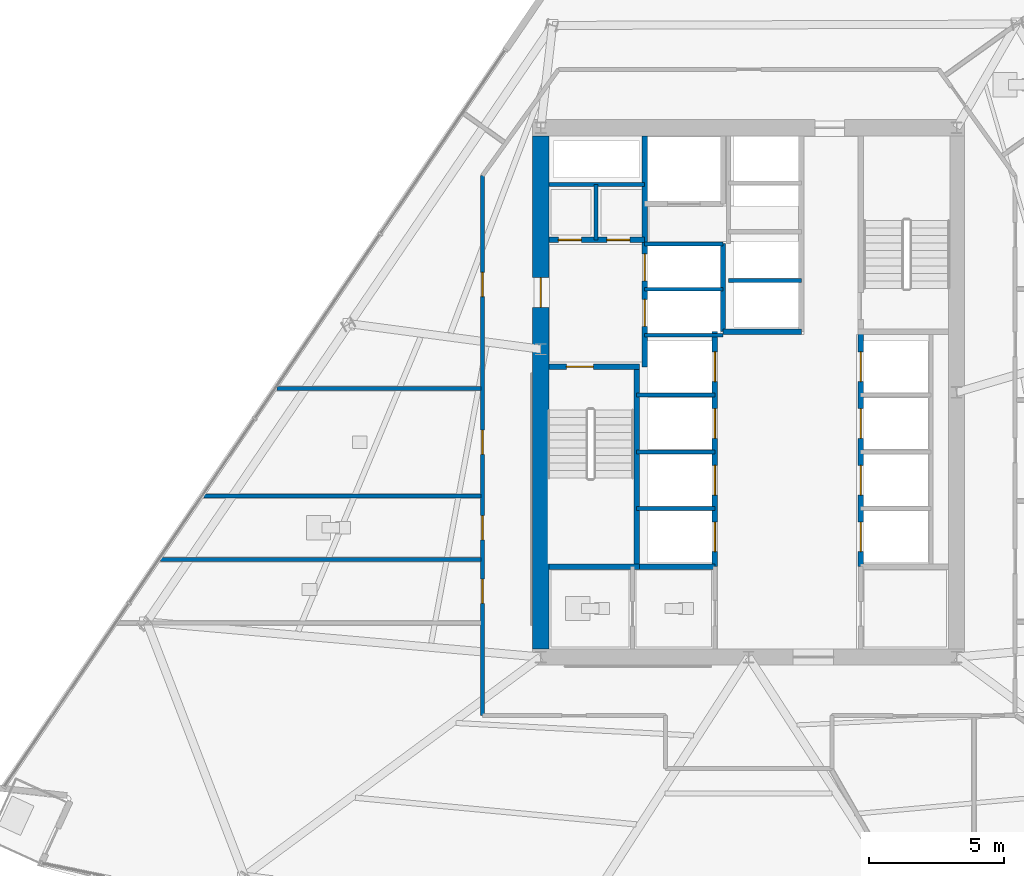
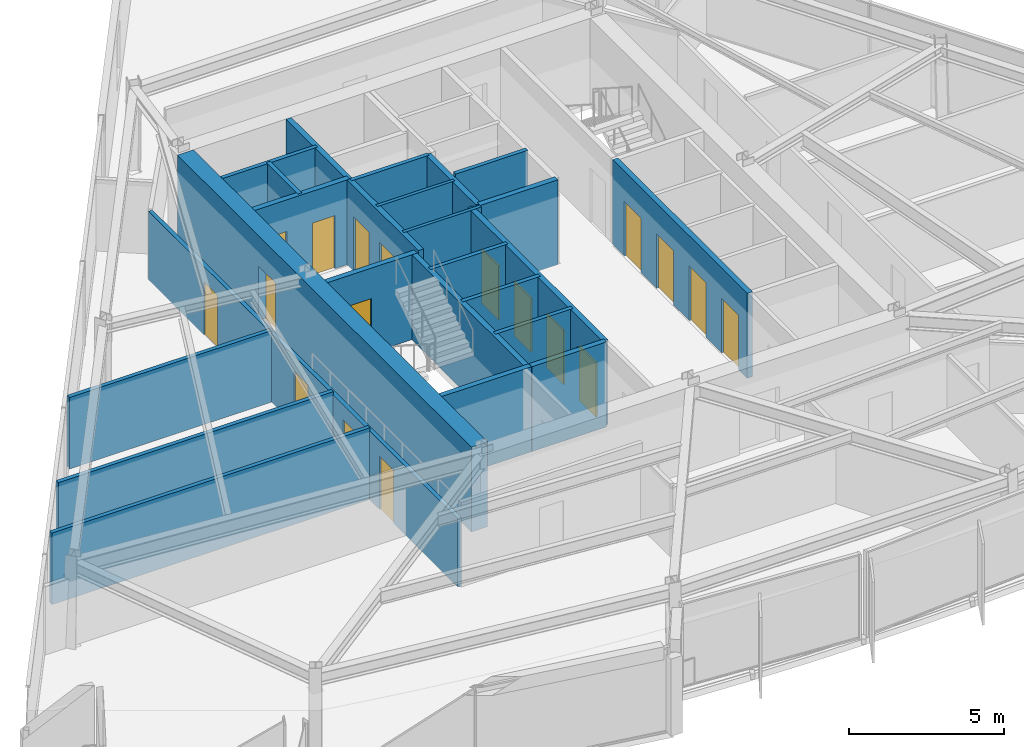
# One storey, part 8 of 15: 24 walls, 18 doors, 18 openings.
"""IFC4 building model written with IfcOpenShell, lengths in metres."""

from ifc_helpers import new_model, si_unit, direction, frame, frame_2d, origin, place, context, subcontext, project, spatial, rectangle, extrude, material, layer, layer_set, type_object, element, fill, save


model = new_model("IFC4")

# Units and contexts
model_context = context("Model", 3, precision=1e-05, world=origin(), true_north=direction((0.0, 1.0)))
body_context = subcontext(model_context, "Body", "Model", "MODEL_VIEW")
ifc_project = project(units=[si_unit("LENGTHUNIT", "METRE"), si_unit("AREAUNIT", "SQUARE_METRE"), si_unit("VOLUMEUNIT", "CUBIC_METRE"), si_unit("PLANEANGLEUNIT", "RADIAN"), si_unit("MASSUNIT", "GRAM", prefix="KILO")], contexts=[model_context])

# Site, building, storey
site_placement = place(None, origin())
site = spatial("IfcSite", under=ifc_project, at=site_placement, CompositionType="ELEMENT")
building_placement = place(site_placement, origin())
building = spatial("IfcBuilding", under=site, at=building_placement, Name="Savorim Split Tower", CompositionType="ELEMENT")
storey_placement = place(building_placement, frame((0.0, 0.0, 107.699951171875)))
storey = spatial("IfcBuildingStorey", under=building, at=storey_placement, Name="L28", CompositionType="ELEMENT", Elevation=107.699951171875)

# Wall, opening, door
ifc_material_1 = material(Name="Concrete C60/75", Category="concrete")
ifc_layer_1 = layer(ifc_material_1, 0.60009765625)
ifc_layer_set_1 = layer_set([ifc_layer_1], Name="WAL-COR-SH600")
wall_type_1 = type_object("IfcWallType", Name="WAL-COR-SH600", PredefinedType="SHEAR", material=ifc_layer_set_1)
wall_1_placement = place(storey_placement, frame((-7.699951171875, -9.10009765625, 0.0), z_axis=(0.0, 0.0, 1.0), x_axis=(0.0, 1.0, 0.0)))
wall_1 = element("IfcWall", 1, at=wall_1_placement, inside=storey, type_object=wall_type_1, Name="L28 Offset Core West Shear Wall", PredefinedType="SHEAR", context=body_context, shape_type="SweptSolid", body=[
    extrude(rectangle(XDim=19.0, YDim=0.60009765625, at=frame_2d((9.5, 0.0))), origin(), (0.0, 0.0, 1.0), 3.35009765625),
])
opening_1_placement = place(wall_1_placement, frame((12.64990234375, 0.0, 0.0)))
opening_1 = element("IfcOpeningElement", 2, at=opening_1_placement, cuts=wall_1, Name="Opening DI-03", PredefinedType="OPENING", context=body_context, shape_type="SweptSolid", body=[
    extrude(rectangle(XDim=1.10009765625, YDim=2.14990234375, at=frame_2d((0.550048828125, 1.074951171875))), frame((0.0, 0.31005859375, 0.0), z_axis=(0.0, -1.0, 0.0), x_axis=(1.0, 0.0, 0.0)), (0.0, 0.0, 1.0), 0.6201171875),
])
ifc_material_2 = material(Name="Timber Fire Door Leaf", Category="wood")
door_type_1 = type_object("IfcDoorType", Name="DOR-FIR-1100", OperationType="NOTDEFINED", PredefinedType="DOOR", material=ifc_material_2)
door_1_placement = place(opening_1_placement, origin())
door_1 = element("IfcDoor", 3, at=door_1_placement, inside=storey, type_object=door_type_1, Name="DOR-L28-COR-FFLOB - L28 Firefighting Lobby Corridor Door", OperationType="SINGLE_SWING_RIGHT", OverallHeight=2.14990234375, OverallWidth=1.10009765625, PredefinedType="DOOR", context=body_context, shape_type="SweptSolid", body=[
    extrude(rectangle(XDim=1.10009765625, YDim=2.14990234375, at=frame_2d((0.550048828125, 1.074951171875))), frame((0.0, 0.02490234375, 0.0), z_axis=(0.0, -1.0, 0.0), x_axis=(1.0, 0.0, 0.0)), (0.0, 0.0, 1.0), 0.050048828125),
])
fill(opening_1, door_1)

ifc_material_3 = material(Name="Concrete C50/60", Category="concrete")
ifc_layer_2 = layer(ifc_material_3, 0.199951171875)
ifc_layer_set_2 = layer_set([ifc_layer_2], Name="WAL-INT-RC200")
wall_type_2 = type_object("IfcWallType", Name="WAL-INT-RC200", PredefinedType="SOLIDWALL", material=ifc_layer_set_2)
wall_2_placement = place(storey_placement, frame((-7.39990234375, 1.35009765625, 0.0), z_axis=(0.0, 0.0, 1.0), x_axis=(1.0, 0.0, 0.0)))
wall_2 = element("IfcWall", 4, at=wall_2_placement, inside=storey, type_object=wall_type_2, Name="L28 Structural Shaft Wall W-L28-CR01", PredefinedType="SOLIDWALL", context=body_context, shape_type="SweptSolid", body=[
    extrude(rectangle(XDim=3.349853515625, YDim=0.199951171875, at=frame_2d((1.6748046875, 0.0))), origin(), (0.0, 0.0, 1.0), 3.35009765625),
])
opening_2_placement = place(wall_2_placement, frame((0.64990234375, 0.0, 0.0)))
opening_2 = element("IfcOpeningElement", 5, at=opening_2_placement, cuts=wall_2, Name="Opening DI-04", PredefinedType="OPENING", context=body_context, shape_type="SweptSolid", body=[
    extrude(rectangle(XDim=1.0, YDim=2.14990234375, at=frame_2d((0.5, 1.074951171875))), frame((0.0, 0.10986328125, 0.0), z_axis=(0.0, -1.0, 0.0), x_axis=(1.0, 0.0, 0.0)), (0.0, 0.0, 1.0), 0.219970703125),
])
door_type_2 = type_object("IfcDoorType", Name="DOR-FIR-1000", OperationType="NOTDEFINED", PredefinedType="DOOR", material=ifc_material_2)
door_2_placement = place(opening_2_placement, origin())
door_2 = element("IfcDoor", 6, at=door_2_placement, inside=storey, type_object=door_type_2, Name="DR-L28-ST1 - L28 Stair ST-1 Enclosure Door", OperationType="SINGLE_SWING_LEFT", OverallHeight=2.14990234375, OverallWidth=1.0, PredefinedType="DOOR", context=body_context, shape_type="SweptSolid", body=[
    extrude(rectangle(XDim=1.0, YDim=2.14990234375, at=frame_2d((0.5, 1.074951171875))), frame((0.0, 0.02490234375, 0.0), z_axis=(0.0, -1.0, 0.0), x_axis=(1.0, 0.0, 0.0)), (0.0, 0.0, 1.0), 0.050048828125),
])
fill(opening_2, door_2)

# Wall
wall_3_placement = place(storey_placement, frame((-4.14990234375, -5.949951171875, 0.0), z_axis=(0.0, 0.0, 1.0), x_axis=(0.0, 1.0, 0.0)))
element("IfcWall", 7, at=wall_3_placement, inside=storey, type_object=wall_type_2, Name="L28 Structural Shaft Wall W-L28-CR02", PredefinedType="SOLIDWALL", context=body_context, shape_type="SweptSolid", body=[
    extrude(rectangle(XDim=7.199951171875, YDim=0.199951171875, at=frame_2d((3.60009765625, 0.0))), origin(), (0.0, 0.0, 1.0), 3.35009765625),
])

# Wall, openings, doors
wall_4_placement = place(storey_placement, frame((-3.85009765625, 1.35009765625, 0.0), z_axis=(0.0, 0.0, 1.0), x_axis=(0.0, 1.0, 0.0)))
wall_4 = element("IfcWall", 8, at=wall_4_placement, inside=storey, type_object=wall_type_2, Name="L28 Partition W-L28-CR03", PredefinedType="SOLIDWALL", context=body_context, shape_type="SweptSolid", body=[
    extrude(rectangle(XDim=8.544921875, YDim=0.199951171875, at=frame_2d((4.2724609375, 0.0))), origin(), (0.0, 0.0, 1.0), 3.35009765625),
])
opening_3_placement = place(wall_4_placement, frame((1.5, 0.0, 0.0)))
opening_3 = element("IfcOpeningElement", 9, at=opening_3_placement, cuts=wall_4, Name="Opening LD-FFL", PredefinedType="OPENING", context=body_context, shape_type="SweptSolid", body=[
    extrude(rectangle(XDim=1.0, YDim=2.14990234375, at=frame_2d((0.5, 1.074951171875))), frame((0.0, 0.10986328125, 0.0), z_axis=(0.0, -1.0, 0.0), x_axis=(1.0, 0.0, 0.0)), (0.0, 0.0, 1.0), 0.219970703125),
])
opening_4_placement = place(wall_4_placement, frame((3.179931640625, 0.0, 0.0)))
opening_4 = element("IfcOpeningElement", 10, at=opening_4_placement, cuts=wall_4, Name="Opening LD-FFL", PredefinedType="OPENING", context=body_context, shape_type="SweptSolid", body=[
    extrude(rectangle(XDim=1.0, YDim=2.14990234375, at=frame_2d((0.5, 1.074951171875))), frame((0.0, 0.10986328125, 0.0), z_axis=(0.0, -1.0, 0.0), x_axis=(1.0, 0.0, 0.0)), (0.0, 0.0, 1.0), 0.219970703125),
])
ifc_material_4 = material(Name="Charcoal Anodised Aluminium", Category="aluminium")
door_type_3 = type_object("IfcDoorType", Name="DOR-SLD-LD1000", OperationType="NOTDEFINED", PredefinedType="DOOR", material=ifc_material_4)
door_3_placement = place(opening_3_placement, origin())
door_3 = element("IfcDoor", 11, at=door_3_placement, inside=storey, type_object=door_type_3, Name="DR-L28-LD-FFL1 - L28 Firefighting Lift FFL-1 Sliding Landing Door", OperationType="DOUBLE_DOOR_SLIDING", OverallHeight=2.14990234375, OverallWidth=1.0, PredefinedType="DOOR", context=body_context, shape_type="SweptSolid", body=[
    extrude(rectangle(XDim=1.0, YDim=2.14990234375, at=frame_2d((0.5, 1.074951171875))), frame((0.0, 0.02490234375, 0.0), z_axis=(0.0, -1.0, 0.0), x_axis=(1.0, 0.0, 0.0)), (0.0, 0.0, 1.0), 0.050048828125),
])
fill(opening_3, door_3)
door_4_placement = place(opening_4_placement, origin())
door_4 = element("IfcDoor", 12, at=door_4_placement, inside=storey, type_object=door_type_3, Name="DR-L28-LD-FFL2 - L28 Firefighting Lift FFL-2 Sliding Landing Door", OperationType="DOUBLE_DOOR_SLIDING", OverallHeight=2.14990234375, OverallWidth=1.0, PredefinedType="DOOR", context=body_context, shape_type="SweptSolid", body=[
    extrude(rectangle(XDim=1.0, YDim=2.14990234375, at=frame_2d((0.5, 1.074951171875))), frame((0.0, 0.02490234375, 0.0), z_axis=(0.0, -1.0, 0.0), x_axis=(1.0, 0.0, 0.0)), (0.0, 0.0, 1.0), 0.050048828125),
])
fill(opening_4, door_4)

wall_5_placement = place(storey_placement, frame((-7.39501953125, 6.050048828125, 0.0), z_axis=(0.0, 0.0, 1.0), x_axis=(1.0, 0.0, 0.0)))
wall_5 = element("IfcWall", 13, at=wall_5_placement, inside=storey, type_object=wall_type_2, Name="L28 Partition W-L28-CR04", PredefinedType="SOLIDWALL", context=body_context, shape_type="SweptSolid", body=[
    extrude(rectangle(XDim=3.544921875, YDim=0.199951171875, at=frame_2d((1.7724609375, 0.0))), origin(), (0.0, 0.0, 1.0), 3.35009765625),
])
opening_5_placement = place(wall_5_placement, frame((0.344970703125, 0.0, 0.0)))
opening_5 = element("IfcOpeningElement", 14, at=opening_5_placement, cuts=wall_5, Name="Opening DI-12", PredefinedType="OPENING", context=body_context, shape_type="SweptSolid", body=[
    extrude(rectangle(XDim=0.85009765625, YDim=2.10009765625, at=frame_2d((0.425048828125, 1.050048828125))), frame((0.0, 0.10986328125, 0.0), z_axis=(0.0, -1.0, 0.0), x_axis=(1.0, 0.0, 0.0)), (0.0, 0.0, 1.0), 0.219970703125),
])
opening_6_placement = place(wall_5_placement, frame((2.14501953125, 0.0, 0.0)))
opening_6 = element("IfcOpeningElement", 15, at=opening_6_placement, cuts=wall_5, Name="Opening DI-12", PredefinedType="OPENING", context=body_context, shape_type="SweptSolid", body=[
    extrude(rectangle(XDim=0.85009765625, YDim=2.10009765625, at=frame_2d((0.425048828125, 1.050048828125))), frame((0.0, 0.10986328125, 0.0), z_axis=(0.0, -1.0, 0.0), x_axis=(1.0, 0.0, 0.0)), (0.0, 0.0, 1.0), 0.219970703125),
])
ifc_material_5 = material(Name="Galvanised Painted Steel Balustrade", Category="steel")
door_type_4 = type_object("IfcDoorType", Name="DOR-RIS-850", OperationType="NOTDEFINED", PredefinedType="DOOR", material=ifc_material_5)
door_5_placement = place(opening_5_placement, origin())
door_5 = element("IfcDoor", 16, at=door_5_placement, inside=storey, type_object=door_type_4, Name="DR-L28-ELR - L28 Electrical Riser Access Door", OperationType="SINGLE_SWING_RIGHT", OverallHeight=2.10009765625, OverallWidth=0.85009765625, PredefinedType="DOOR", context=body_context, shape_type="SweptSolid", body=[
    extrude(rectangle(XDim=0.85009765625, YDim=2.10009765625, at=frame_2d((0.425048828125, 1.050048828125))), frame((0.0, 0.02490234375, 0.0), z_axis=(0.0, -1.0, 0.0), x_axis=(1.0, 0.0, 0.0)), (0.0, 0.0, 1.0), 0.050048828125),
])
fill(opening_5, door_5)
door_6_placement = place(opening_6_placement, origin())
door_6 = element("IfcDoor", 17, at=door_6_placement, inside=storey, type_object=door_type_4, Name="DR-L28-TLR - L28 Telecom Riser Access Door", OperationType="SINGLE_SWING_LEFT", OverallHeight=2.10009765625, OverallWidth=0.85009765625, PredefinedType="DOOR", context=body_context, shape_type="SweptSolid", body=[
    extrude(rectangle(XDim=0.85009765625, YDim=2.10009765625, at=frame_2d((0.425048828125, 1.050048828125))), frame((0.0, 0.02490234375, 0.0), z_axis=(0.0, -1.0, 0.0), x_axis=(1.0, 0.0, 0.0)), (0.0, 0.0, 1.0), 0.050048828125),
])
fill(opening_6, door_6)

# Wall
wall_6_placement = place(storey_placement, frame((-0.949951171875, 2.64990234375, 0.0), z_axis=(0.0, 0.0, 1.0), x_axis=(0.0, 1.0, 0.0)))
element("IfcWall", 18, at=wall_6_placement, inside=storey, type_object=wall_type_2, Name="L28 Partition W-L28-FFLW", PredefinedType="SOLIDWALL", context=body_context, shape_type="SweptSolid", body=[
    extrude(rectangle(XDim=3.27001953125, YDim=0.199951171875, at=frame_2d((1.635009765625, 0.0))), origin(), (0.0, 0.0, 1.0), 3.35009765625),
])

# Wall, openings, doors
wall_7_placement = place(storey_placement, frame((4.14990234375, -6.050048828125, 0.0), z_axis=(0.0, 0.0, 1.0), x_axis=(0.0, 1.0, 0.0)))
wall_7 = element("IfcWall", 19, at=wall_7_placement, inside=storey, type_object=wall_type_2, Name="L28 Partition W-L28-B1FRONT", PredefinedType="SOLIDWALL", context=body_context, shape_type="SweptSolid", body=[
    extrude(rectangle(XDim=8.699951171875, YDim=0.199951171875, at=frame_2d((4.35009765625, 0.0))), origin(), (0.0, 0.0, 1.0), 3.35009765625),
])
opening_7_placement = place(wall_7_placement, frame((0.550048828125, 0.0, 0.0)))
opening_7 = element("IfcOpeningElement", 20, at=opening_7_placement, cuts=wall_7, Name="Opening LD-01", PredefinedType="OPENING", context=body_context, shape_type="SweptSolid", body=[
    extrude(rectangle(XDim=1.10009765625, YDim=2.14990234375, at=frame_2d((0.550048828125, 1.074951171875))), frame((0.0, 0.10986328125, 0.0), z_axis=(0.0, -1.0, 0.0), x_axis=(1.0, 0.0, 0.0)), (0.0, 0.0, 1.0), 0.219970703125),
])
opening_8_placement = place(wall_7_placement, frame((2.64990234375, 0.0, 0.0)))
opening_8 = element("IfcOpeningElement", 21, at=opening_8_placement, cuts=wall_7, Name="Opening LD-01", PredefinedType="OPENING", context=body_context, shape_type="SweptSolid", body=[
    extrude(rectangle(XDim=1.10009765625, YDim=2.14990234375, at=frame_2d((0.550048828125, 1.074951171875))), frame((0.0, 0.10986328125, 0.0), z_axis=(0.0, -1.0, 0.0), x_axis=(1.0, 0.0, 0.0)), (0.0, 0.0, 1.0), 0.219970703125),
])
opening_9_placement = place(wall_7_placement, frame((4.75, 0.0, 0.0)))
opening_9 = element("IfcOpeningElement", 22, at=opening_9_placement, cuts=wall_7, Name="Opening LD-01", PredefinedType="OPENING", context=body_context, shape_type="SweptSolid", body=[
    extrude(rectangle(XDim=1.10009765625, YDim=2.14990234375, at=frame_2d((0.550048828125, 1.074951171875))), frame((0.0, 0.10986328125, 0.0), z_axis=(0.0, -1.0, 0.0), x_axis=(1.0, 0.0, 0.0)), (0.0, 0.0, 1.0), 0.219970703125),
])
opening_10_placement = place(wall_7_placement, frame((6.85009765625, 0.0, 0.0)))
opening_10 = element("IfcOpeningElement", 23, at=opening_10_placement, cuts=wall_7, Name="Opening LD-01", PredefinedType="OPENING", context=body_context, shape_type="SweptSolid", body=[
    extrude(rectangle(XDim=1.10009765625, YDim=2.14990234375, at=frame_2d((0.550048828125, 1.074951171875))), frame((0.0, 0.10986328125, 0.0), z_axis=(0.0, -1.0, 0.0), x_axis=(1.0, 0.0, 0.0)), (0.0, 0.0, 1.0), 0.219970703125),
])
door_type_5 = type_object("IfcDoorType", Name="DOR-SLD-LD1100", OperationType="NOTDEFINED", PredefinedType="DOOR", material=ifc_material_4)
door_7_placement = place(opening_7_placement, origin())
door_7 = element("IfcDoor", 24, at=door_7_placement, inside=storey, type_object=door_type_5, Name="DR-L28-LD-PLL1 - L28 Lift PL-L1 Sliding Landing Door", OperationType="DOUBLE_DOOR_SLIDING", OverallHeight=2.14990234375, OverallWidth=1.10009765625, PredefinedType="DOOR", context=body_context, shape_type="SweptSolid", body=[
    extrude(rectangle(XDim=1.10009765625, YDim=2.14990234375, at=frame_2d((0.550048828125, 1.074951171875))), frame((0.0, 0.02490234375, 0.0), z_axis=(0.0, -1.0, 0.0), x_axis=(1.0, 0.0, 0.0)), (0.0, 0.0, 1.0), 0.050048828125),
])
fill(opening_7, door_7)
door_8_placement = place(opening_8_placement, origin())
door_8 = element("IfcDoor", 25, at=door_8_placement, inside=storey, type_object=door_type_5, Name="DR-L28-LD-PLL2 - L28 Lift PL-L2 Sliding Landing Door", OperationType="DOUBLE_DOOR_SLIDING", OverallHeight=2.14990234375, OverallWidth=1.10009765625, PredefinedType="DOOR", context=body_context, shape_type="SweptSolid", body=[
    extrude(rectangle(XDim=1.10009765625, YDim=2.14990234375, at=frame_2d((0.550048828125, 1.074951171875))), frame((0.0, 0.02490234375, 0.0), z_axis=(0.0, -1.0, 0.0), x_axis=(1.0, 0.0, 0.0)), (0.0, 0.0, 1.0), 0.050048828125),
])
fill(opening_8, door_8)
door_9_placement = place(opening_9_placement, origin())
door_9 = element("IfcDoor", 26, at=door_9_placement, inside=storey, type_object=door_type_5, Name="DR-L28-LD-PLL3 - L28 Lift PL-L3 Sliding Landing Door", OperationType="DOUBLE_DOOR_SLIDING", OverallHeight=2.14990234375, OverallWidth=1.10009765625, PredefinedType="DOOR", context=body_context, shape_type="SweptSolid", body=[
    extrude(rectangle(XDim=1.10009765625, YDim=2.14990234375, at=frame_2d((0.550048828125, 1.074951171875))), frame((0.0, 0.02490234375, 0.0), z_axis=(0.0, -1.0, 0.0), x_axis=(1.0, 0.0, 0.0)), (0.0, 0.0, 1.0), 0.050048828125),
])
fill(opening_9, door_9)
door_10_placement = place(opening_10_placement, origin())
door_10 = element("IfcDoor", 27, at=door_10_placement, inside=storey, type_object=door_type_5, Name="DR-L28-LD-PLL4 - L28 Lift PL-L4 Sliding Landing Door", OperationType="DOUBLE_DOOR_SLIDING", OverallHeight=2.14990234375, OverallWidth=1.10009765625, PredefinedType="DOOR", context=body_context, shape_type="SweptSolid", body=[
    extrude(rectangle(XDim=1.10009765625, YDim=2.14990234375, at=frame_2d((0.550048828125, 1.074951171875))), frame((0.0, 0.02490234375, 0.0), z_axis=(0.0, -1.0, 0.0), x_axis=(1.0, 0.0, 0.0)), (0.0, 0.0, 1.0), 0.050048828125),
])
fill(opening_10, door_10)

wall_8_placement = place(storey_placement, frame((-1.25, -6.050048828125, 0.0), z_axis=(0.0, 0.0, 1.0), x_axis=(0.0, 1.0, 0.0)))
wall_8 = element("IfcWall", 28, at=wall_8_placement, inside=storey, type_object=wall_type_2, Name="L28 Partition W-L28-B2FRONT", PredefinedType="SOLIDWALL", context=body_context, shape_type="SweptSolid", body=[
    extrude(rectangle(XDim=8.699951171875, YDim=0.199951171875, at=frame_2d((4.35009765625, 0.0))), origin(), (0.0, 0.0, 1.0), 3.35009765625),
])
opening_11_placement = place(wall_8_placement, frame((0.550048828125, 0.0, 0.0)))
opening_11 = element("IfcOpeningElement", 29, at=opening_11_placement, cuts=wall_8, Name="Opening LD-02", PredefinedType="OPENING", context=body_context, shape_type="SweptSolid", body=[
    extrude(rectangle(XDim=1.10009765625, YDim=2.14990234375, at=frame_2d((0.550048828125, 1.074951171875))), frame((0.0, 0.10986328125, 0.0), z_axis=(0.0, -1.0, 0.0), x_axis=(1.0, 0.0, 0.0)), (0.0, 0.0, 1.0), 0.219970703125),
])
opening_12_placement = place(wall_8_placement, frame((2.64990234375, 0.0, 0.0)))
opening_12 = element("IfcOpeningElement", 30, at=opening_12_placement, cuts=wall_8, Name="Opening LD-02", PredefinedType="OPENING", context=body_context, shape_type="SweptSolid", body=[
    extrude(rectangle(XDim=1.10009765625, YDim=2.14990234375, at=frame_2d((0.550048828125, 1.074951171875))), frame((0.0, 0.10986328125, 0.0), z_axis=(0.0, -1.0, 0.0), x_axis=(1.0, 0.0, 0.0)), (0.0, 0.0, 1.0), 0.219970703125),
])
opening_13_placement = place(wall_8_placement, frame((4.75, 0.0, 0.0)))
opening_13 = element("IfcOpeningElement", 31, at=opening_13_placement, cuts=wall_8, Name="Opening LD-02", PredefinedType="OPENING", context=body_context, shape_type="SweptSolid", body=[
    extrude(rectangle(XDim=1.10009765625, YDim=2.14990234375, at=frame_2d((0.550048828125, 1.074951171875))), frame((0.0, 0.10986328125, 0.0), z_axis=(0.0, -1.0, 0.0), x_axis=(1.0, 0.0, 0.0)), (0.0, 0.0, 1.0), 0.219970703125),
])
opening_14_placement = place(wall_8_placement, frame((6.85009765625, 0.0, 0.0)))
opening_14 = element("IfcOpeningElement", 32, at=opening_14_placement, cuts=wall_8, Name="Opening LD-02", PredefinedType="OPENING", context=body_context, shape_type="SweptSolid", body=[
    extrude(rectangle(XDim=1.10009765625, YDim=2.14990234375, at=frame_2d((0.550048828125, 1.074951171875))), frame((0.0, 0.10986328125, 0.0), z_axis=(0.0, -1.0, 0.0), x_axis=(1.0, 0.0, 0.0)), (0.0, 0.0, 1.0), 0.219970703125),
])
door_type_6 = type_object("IfcDoorType", Name="DOR-SLD-LDM1100", OperationType="NOTDEFINED", PredefinedType="DOOR", material=ifc_material_4)
door_11_placement = place(opening_11_placement, origin())
door_11 = element("IfcDoor", 33, at=door_11_placement, inside=storey, type_object=door_type_6, Name="DR-L28-LD-PLM1 - L28 Lift PL-M1 Sliding Landing Door", OperationType="DOUBLE_DOOR_SLIDING", OverallHeight=2.14990234375, OverallWidth=1.10009765625, PredefinedType="DOOR", context=body_context, shape_type="SweptSolid", body=[
    extrude(rectangle(XDim=1.10009765625, YDim=2.14990234375, at=frame_2d((0.550048828125, 1.074951171875))), frame((0.0, 0.02490234375, 0.0), z_axis=(0.0, -1.0, 0.0), x_axis=(1.0, 0.0, 0.0)), (0.0, 0.0, 1.0), 0.050048828125),
])
fill(opening_11, door_11)
door_12_placement = place(opening_12_placement, origin())
door_12 = element("IfcDoor", 34, at=door_12_placement, inside=storey, type_object=door_type_6, Name="DR-L28-LD-PLM2 - L28 Lift PL-M2 Sliding Landing Door", OperationType="DOUBLE_DOOR_SLIDING", OverallHeight=2.14990234375, OverallWidth=1.10009765625, PredefinedType="DOOR", context=body_context, shape_type="SweptSolid", body=[
    extrude(rectangle(XDim=1.10009765625, YDim=2.14990234375, at=frame_2d((0.550048828125, 1.074951171875))), frame((0.0, 0.02490234375, 0.0), z_axis=(0.0, -1.0, 0.0), x_axis=(1.0, 0.0, 0.0)), (0.0, 0.0, 1.0), 0.050048828125),
])
fill(opening_12, door_12)
door_13_placement = place(opening_13_placement, origin())
door_13 = element("IfcDoor", 35, at=door_13_placement, inside=storey, type_object=door_type_6, Name="DR-L28-LD-PLM3 - L28 Lift PL-M3 Sliding Landing Door", OperationType="DOUBLE_DOOR_SLIDING", OverallHeight=2.14990234375, OverallWidth=1.10009765625, PredefinedType="DOOR", context=body_context, shape_type="SweptSolid", body=[
    extrude(rectangle(XDim=1.10009765625, YDim=2.14990234375, at=frame_2d((0.550048828125, 1.074951171875))), frame((0.0, 0.02490234375, 0.0), z_axis=(0.0, -1.0, 0.0), x_axis=(1.0, 0.0, 0.0)), (0.0, 0.0, 1.0), 0.050048828125),
])
fill(opening_13, door_13)
door_14_placement = place(opening_14_placement, origin())
door_14 = element("IfcDoor", 36, at=door_14_placement, inside=storey, type_object=door_type_6, Name="DR-L28-LD-PLM4 - L28 Lift PL-M4 Sliding Landing Door", OperationType="DOUBLE_DOOR_SLIDING", OverallHeight=2.14990234375, OverallWidth=1.10009765625, PredefinedType="DOOR", context=body_context, shape_type="SweptSolid", body=[
    extrude(rectangle(XDim=1.10009765625, YDim=2.14990234375, at=frame_2d((0.550048828125, 1.074951171875))), frame((0.0, 0.02490234375, 0.0), z_axis=(0.0, -1.0, 0.0), x_axis=(1.0, 0.0, 0.0)), (0.0, 0.0, 1.0), 0.050048828125),
])
fill(opening_14, door_14)

# Walls
wall_9_placement = place(storey_placement, frame((-0.949951171875, 2.64990234375, 0.0), z_axis=(0.0, 0.0, 1.0), x_axis=(1.0, 0.0, 0.0)))
element("IfcWall", 37, at=wall_9_placement, inside=storey, type_object=wall_type_2, Name="L28 Partition W-L28-B3SOUTH", PredefinedType="SOLIDWALL", context=body_context, shape_type="SweptSolid", body=[
    extrude(rectangle(XDim=2.89990234375, YDim=0.199951171875, at=frame_2d((1.449951171875, 0.0))), origin(), (0.0, 0.0, 1.0), 3.35009765625),
])
wall_10_placement = place(storey_placement, frame((-7.39990234375, -6.050048828125, 0.0), z_axis=(0.0, 0.0, 1.0), x_axis=(1.0, 0.0, 0.0)))
element("IfcWall", 38, at=wall_10_placement, inside=storey, type_object=wall_type_2, Name="L28 Structural Shaft Wall W-L28-KSEP-W", PredefinedType="SOLIDWALL", context=body_context, shape_type="SweptSolid", body=[
    extrude(rectangle(XDim=3.349853515625, YDim=0.199951171875, at=frame_2d((1.6748046875, 0.0))), origin(), (0.0, 0.0, 1.0), 3.35009765625),
])
wall_11_placement = place(storey_placement, frame((-4.0400390625, -6.050048828125, 0.0), z_axis=(0.0, 0.0, 1.0), x_axis=(1.0, 0.0, 0.0)))
element("IfcWall", 39, at=wall_11_placement, inside=storey, type_object=wall_type_2, Name="L28 Partition W-L28-KSEP-W2", PredefinedType="SOLIDWALL", context=body_context, shape_type="SweptSolid", body=[
    extrude(rectangle(XDim=2.7900390625, YDim=0.199951171875, at=frame_2d((1.39501953125, 0.0))), origin(), (0.0, 0.0, 1.0), 3.35009765625),
])
ifc_material_6 = material(Name="Acoustic Gypsum Partition Board")
ifc_layer_3 = layer(ifc_material_6, 0.1201171875)
ifc_layer_set_3 = layer_set([ifc_layer_3], Name="WAL-PAR-120")
wall_type_3 = type_object("IfcWallType", Name="WAL-PAR-120", PredefinedType="PARTITIONING", material=ifc_layer_set_3)
for number, where, z_axis, x_axis, name in (
    (40, (-3.85009765625, 2.52001953125, 0.0), (0.0, 0.0, 1.0), (1.0, 0.0, 0.0), "L28 Partition W-L28-FFLD0"),
    (41, (-3.85009765625, 4.219970703125, 0.0), (0.0, 0.0, 1.0), (1.0, 0.0, 0.0), "L28 Partition W-L28-FFLD1"),
):
    element("IfcWall", number, at=place(storey_placement, frame(where, z_axis=z_axis, x_axis=x_axis)), inside=storey, type_object=wall_type_3, Name=name, PredefinedType="PARTITIONING", context=body_context, shape_type="SweptSolid", body=[
        extrude(rectangle(XDim=2.900146484375, YDim=0.1201171875, at=frame_2d((1.4501953125, 0.0))), origin(), (0.0, 0.0, 1.0), 3.35009765625),
    ])
ifc_layer_4 = layer(ifc_material_6, 0.14990234375)
ifc_layer_set_4 = layer_set([ifc_layer_4], Name="WAL-PAR-150")
wall_type_4 = type_object("IfcWallType", Name="WAL-PAR-150", PredefinedType="PARTITIONING", material=ifc_layer_set_4)
wall_12_placement = place(storey_placement, frame((-7.39501953125, 8.10009765625, 0.0), z_axis=(0.0, 0.0, 1.0), x_axis=(1.0, 0.0, 0.0)))
element("IfcWall", 42, at=wall_12_placement, inside=storey, type_object=wall_type_4, Name="L28 Partition W-L28-CR05", PredefinedType="PARTITIONING", context=body_context, shape_type="SweptSolid", body=[
    extrude(rectangle(XDim=3.544921875, YDim=0.14990234375, at=frame_2d((1.7724609375, 0.0))), origin(), (0.0, 0.0, 1.0), 3.35009765625),
])
wall_13_placement = place(storey_placement, frame((-5.64990234375, 6.050048828125, 0.0), z_axis=(0.0, 0.0, 1.0), x_axis=(0.0, 1.0, 0.0)))
element("IfcWall", 43, at=wall_13_placement, inside=storey, type_object=wall_type_4, Name="L28 Partition W-L28-CR06", PredefinedType="PARTITIONING", context=body_context, shape_type="SweptSolid", body=[
    extrude(rectangle(XDim=2.050048828125, YDim=0.14990234375, at=frame_2d((1.02490234375, 0.0))), origin(), (0.0, 0.0, 1.0), 3.35009765625),
])
wall_14_placement = place(storey_placement, frame((-3.85009765625, 5.89990234375, 0.0), z_axis=(0.0, 0.0, 1.0), x_axis=(1.0, 0.0, 0.0)))
element("IfcWall", 44, at=wall_14_placement, inside=storey, type_object=wall_type_4, Name="L28 Partition W-L28-FFLD2", PredefinedType="PARTITIONING", context=body_context, shape_type="SweptSolid", body=[
    extrude(rectangle(XDim=2.900146484375, YDim=0.14990234375, at=frame_2d((1.4501953125, 0.0))), origin(), (0.0, 0.0, 1.0), 3.35009765625),
])
for number, where, z_axis, x_axis, name in (
    (45, (-4.14990234375, -3.89990234375, 0.0), (0.0, 0.0, 1.0), (1.0, 0.0, 0.0), "L28 Partition W-L28-B2DIV1"),
    (46, (-4.14990234375, -1.800048828125, 0.0), (0.0, 0.0, 1.0), (1.0, 0.0, 0.0), "L28 Partition W-L28-B2DIV2"),
    (47, (-4.14990234375, 0.300048828125, 0.0), (0.0, 0.0, 1.0), (1.0, 0.0, 0.0), "L28 Partition W-L28-B2DIV3"),
):
    element("IfcWall", number, at=place(storey_placement, frame(where, z_axis=z_axis, x_axis=x_axis)), inside=storey, type_object=wall_type_4, Name=name, PredefinedType="PARTITIONING", context=body_context, shape_type="SweptSolid", body=[
        extrude(rectangle(XDim=2.89990234375, YDim=0.14990234375, at=frame_2d((1.449951171875, 0.0))), origin(), (0.0, 0.0, 1.0), 3.35009765625),
    ])
wall_15_placement = place(storey_placement, frame((-0.75, 4.550048828125, 0.0), z_axis=(0.0, 0.0, 1.0), x_axis=(1.0, 0.0, 0.0)))
element("IfcWall", 48, at=wall_15_placement, inside=storey, type_object=wall_type_4, Name="L28 Partition W-L28-B3DIV1", PredefinedType="PARTITIONING", context=body_context, shape_type="SweptSolid", body=[
    extrude(rectangle(XDim=2.699951171875, YDim=0.14990234375, at=frame_2d((1.35009765625, 0.0))), origin(), (0.0, 0.0, 1.0), 3.35009765625),
])

# Wall, openings, doors
wall_16_placement = place(storey_placement, frame((-9.860107421875, -11.56005859375, 0.0), z_axis=(0.0, 0.0, 1.0), x_axis=(0.0, 1.0, 0.0)))
wall_16 = element("IfcWall", 49, at=wall_16_placement, inside=storey, type_object=wall_type_4, Name="L28 Partition W-L28-COR-01", PredefinedType="PARTITIONING", context=body_context, shape_type="SweptSolid", body=[
    extrude(rectangle(XDim=19.98583984375, YDim=0.14990234375, at=frame_2d((9.992919921875, 0.0))), origin(), (0.0, 0.0, 1.0), 2.705078125),
])
opening_15_placement = place(wall_16_placement, frame((9.66357421875, 0.0, 0.0)))
opening_15 = element("IfcOpeningElement", 50, at=opening_15_placement, cuts=wall_16, Name="Opening DI-06", PredefinedType="OPENING", context=body_context, shape_type="SweptSolid", body=[
    extrude(rectangle(XDim=0.89990234375, YDim=2.10009765625, at=frame_2d((0.449951171875, 1.050048828125))), frame((0.0, 0.0849609375, 0.0), z_axis=(0.0, -1.0, 0.0), x_axis=(1.0, 0.0, 0.0)), (0.0, 0.0, 1.0), 0.169921875),
])
opening_16_placement = place(wall_16_placement, frame((6.498291015625, 0.0, 0.0)))
opening_16 = element("IfcOpeningElement", 51, at=opening_16_placement, cuts=wall_16, Name="Opening DI-11", PredefinedType="OPENING", context=body_context, shape_type="SweptSolid", body=[
    extrude(rectangle(XDim=0.89990234375, YDim=2.10009765625, at=frame_2d((0.449951171875, 1.050048828125))), frame((0.0, 0.0849609375, 0.0), z_axis=(0.0, -1.0, 0.0), x_axis=(1.0, 0.0, 0.0)), (0.0, 0.0, 1.0), 0.169921875),
])
opening_17_placement = place(wall_16_placement, frame((4.144287109375, 0.0, 0.0)))
opening_17 = element("IfcOpeningElement", 52, at=opening_17_placement, cuts=wall_16, Name="Opening DI-06", PredefinedType="OPENING", context=body_context, shape_type="SweptSolid", body=[
    extrude(rectangle(XDim=0.89990234375, YDim=2.10009765625, at=frame_2d((0.449951171875, 1.050048828125))), frame((0.0, 0.0849609375, 0.0), z_axis=(0.0, -1.0, 0.0), x_axis=(1.0, 0.0, 0.0)), (0.0, 0.0, 1.0), 0.169921875),
])
opening_18_placement = place(wall_16_placement, frame((15.504638671875, 0.0, 0.0)))
opening_18 = element("IfcOpeningElement", 53, at=opening_18_placement, cuts=wall_16, Name="Opening DI-06", PredefinedType="OPENING", context=body_context, shape_type="SweptSolid", body=[
    extrude(rectangle(XDim=0.89990234375, YDim=2.10009765625, at=frame_2d((0.449951171875, 1.050048828125))), frame((0.0, 0.0849609375, 0.0), z_axis=(0.0, -1.0, 0.0), x_axis=(1.0, 0.0, 0.0)), (0.0, 0.0, 1.0), 0.169921875),
])
door_type_7 = type_object("IfcDoorType", Name="DOR-FIR-900", OperationType="NOTDEFINED", PredefinedType="DOOR", material=ifc_material_2)
door_15_placement = place(opening_15_placement, origin())
door_15 = element("IfcDoor", 54, at=door_15_placement, inside=storey, type_object=door_type_7, Name="DR-L28-RM01 - L28 Shared Kitchen Entry Door", OperationType="SINGLE_SWING_RIGHT", OverallHeight=2.10009765625, OverallWidth=0.89990234375, PredefinedType="DOOR", context=body_context, shape_type="SweptSolid", body=[
    extrude(rectangle(XDim=0.89990234375, YDim=2.10009765625, at=frame_2d((0.449951171875, 1.050048828125))), frame((0.0, 0.02490234375, 0.0), z_axis=(0.0, -1.0, 0.0), x_axis=(1.0, 0.0, 0.0)), (0.0, 0.0, 1.0), 0.050048828125),
])
fill(opening_15, door_15)
door_16_placement = place(opening_17_placement, origin())
door_16 = element("IfcDoor", 55, at=door_16_placement, inside=storey, type_object=door_type_7, Name="DR-L28-RM03 - L28 Community Laundry Room Entry Door", OperationType="SINGLE_SWING_RIGHT", OverallHeight=2.10009765625, OverallWidth=0.89990234375, PredefinedType="DOOR", context=body_context, shape_type="SweptSolid", body=[
    extrude(rectangle(XDim=0.89990234375, YDim=2.10009765625, at=frame_2d((0.449951171875, 1.050048828125))), frame((0.0, 0.02490234375, 0.0), z_axis=(0.0, -1.0, 0.0), x_axis=(1.0, 0.0, 0.0)), (0.0, 0.0, 1.0), 0.050048828125),
])
fill(opening_17, door_16)
door_17_placement = place(opening_18_placement, origin())
door_17 = element("IfcDoor", 56, at=door_17_placement, inside=storey, type_object=door_type_7, Name="DR-L28-RM14 - L28 Quiet Study Room Entry Door", OperationType="SINGLE_SWING_LEFT", OverallHeight=2.10009765625, OverallWidth=0.89990234375, PredefinedType="DOOR", context=body_context, shape_type="SweptSolid", body=[
    extrude(rectangle(XDim=0.89990234375, YDim=2.10009765625, at=frame_2d((0.449951171875, 1.050048828125))), frame((0.0, 0.02490234375, 0.0), z_axis=(0.0, -1.0, 0.0), x_axis=(1.0, 0.0, 0.0)), (0.0, 0.0, 1.0), 0.050048828125),
])
fill(opening_18, door_17)
ifc_material_7 = material(Name="Oak Veneer Acoustic Door")
door_type_8 = type_object("IfcDoorType", Name="DOR-WC-900", OperationType="NOTDEFINED", PredefinedType="DOOR", material=ifc_material_7)
door_18_placement = place(opening_16_placement, origin())
door_18 = element("IfcDoor", 57, at=door_18_placement, inside=storey, type_object=door_type_8, Name="DR-L28-RM02 - L28 Shared Bathroom Entry Door", OperationType="SINGLE_SWING_LEFT", OverallHeight=2.10009765625, OverallWidth=0.89990234375, PredefinedType="DOOR", context=body_context, shape_type="SweptSolid", body=[
    extrude(rectangle(XDim=0.89990234375, YDim=2.10009765625, at=frame_2d((0.449951171875, 1.050048828125))), frame((0.0, 0.02490234375, 0.0), z_axis=(0.0, -1.0, 0.0), x_axis=(1.0, 0.0, 0.0)), (0.0, 0.0, 1.0), 0.050048828125),
])
fill(opening_16, door_18)

# Walls
wall_17_placement = place(storey_placement, frame((-9.919921875, 0.541748046875, 0.0), z_axis=(0.0, 0.0, 1.0), x_axis=(-1.0, 0.0, 0.0)))
element("IfcWall", 58, at=wall_17_placement, inside=storey, type_object=wall_type_4, Name="L28 Partition W-L28-SUB02", PredefinedType="PARTITIONING", context=body_context, shape_type="SweptSolid", body=[
    extrude(rectangle(XDim=7.55224609375, YDim=0.14990234375, at=frame_2d((3.776123046875, 0.0))), origin(), (0.0, 0.0, 1.0), 2.824951171875),
])
wall_18_placement = place(storey_placement, frame((-9.919921875, -3.434814453125, 0.0), z_axis=(0.0, 0.0, 1.0), x_axis=(-1.0, 0.0, 0.0)))
element("IfcWall", 59, at=wall_18_placement, inside=storey, type_object=wall_type_4, Name="L28 Partition W-L28-SUB03", PredefinedType="PARTITIONING", context=body_context, shape_type="SweptSolid", body=[
    extrude(rectangle(XDim=10.25732421875, YDim=0.14990234375, at=frame_2d((5.128662109375, 0.0))), origin(), (0.0, 0.0, 1.0), 2.824951171875),
])
wall_19_placement = place(storey_placement, frame((-9.919921875, -5.788818359375, 0.0), z_axis=(0.0, 0.0, 1.0), x_axis=(-1.0, 0.0, 0.0)))
element("IfcWall", 60, at=wall_19_placement, inside=storey, type_object=wall_type_4, Name="L28 Partition W-L28-SUB09", PredefinedType="PARTITIONING", context=body_context, shape_type="SweptSolid", body=[
    extrude(rectangle(XDim=11.85888671875, YDim=0.14990234375, at=frame_2d((5.929443359375, 0.0))), origin(), (0.0, 0.0, 1.0), 2.824951171875),
])

save(model, "model.ifc")
